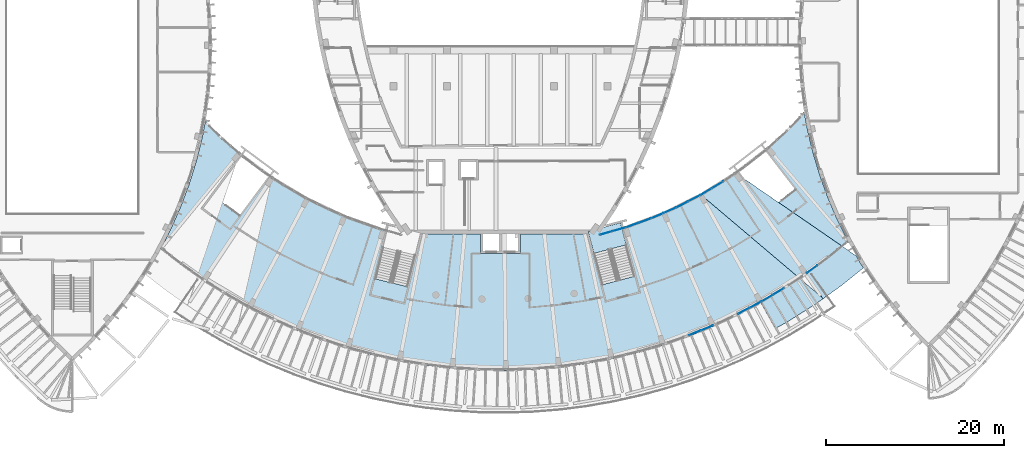
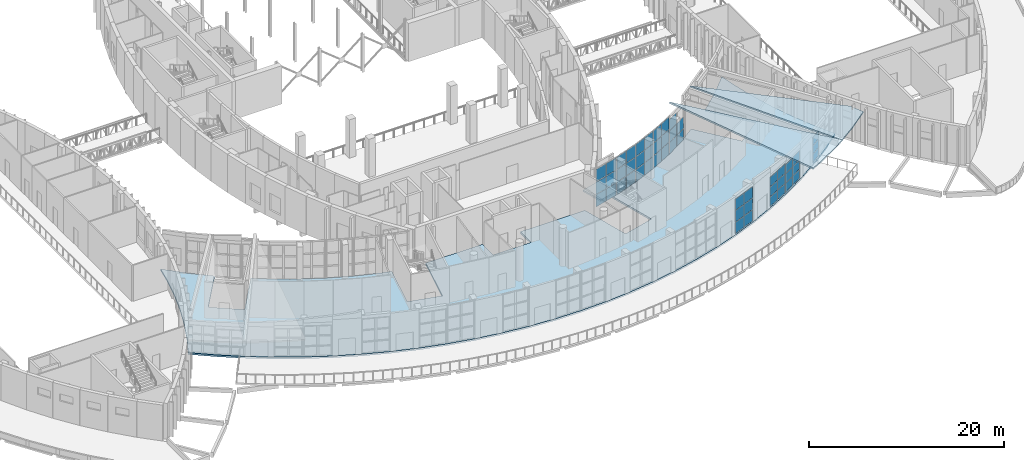
# One storey, part 44 of 93: 50 plates, 4 slabs, 10 elements without a shape of their own.
"""IFC4 building model written with IfcOpenShell, lengths in metres."""

from ifc_helpers import new_model, si_unit, direction, frame, origin, origin_2d, place, context, subcontext, project, spatial, polyline, rectangle, outline, extrude, material, layer, layer_set, type_object, element, aggregate, save


model = new_model("IFC4")

# Units and contexts
model_context = context("Model", 3, precision=1e-05, world=origin(), true_north=direction((0.0, 1.0)))
body_context = subcontext(model_context, "Body", "Model", "MODEL_VIEW")
ifc_project = project(units=[si_unit("LENGTHUNIT", "METRE"), si_unit("AREAUNIT", "SQUARE_METRE"), si_unit("VOLUMEUNIT", "CUBIC_METRE"), si_unit("PLANEANGLEUNIT", "RADIAN"), si_unit("MASSUNIT", "GRAM", prefix="KILO")], contexts=[model_context])

# Site, building, storey
site_placement = place(None, origin())
site = spatial("IfcSite", under=ifc_project, at=site_placement, CompositionType="ELEMENT")
building_placement = place(site_placement, origin())
building = spatial("IfcBuilding", under=site, at=building_placement, Name="Tide Square Theatres", CompositionType="ELEMENT")
storey_placement = place(building_placement, frame((0.0, 0.0, 5.39990234375)))
storey = spatial("IfcBuildingStorey", under=building, at=storey_placement, Name="L01", CompositionType="ELEMENT", Elevation=5.39990234375)

# Curtain wall, plates
ifc_material_1 = material(Name="Aluminium 6063-T5", Category="aluminium")
curtain_wall_type_1 = type_object("IfcCurtainWallType", Name="Unitised system curtain wall 4600 high", PredefinedType="USERDEFINED", material=ifc_material_1)
curtain_wall_1_placement = place(storey_placement, origin())
curtain_wall_1 = element("IfcCurtainWall", 1, at=curtain_wall_1_placement, inside=storey, type_object=curtain_wall_type_1, Name="Foyer outer curtain wall", ObjectType="UNITISED SYSTEM", PredefinedType="USERDEFINED")
ifc_material_2 = material(Name="Double-glazed unit with aluminium frame", Category="aluminium")
ifc_layer_1 = layer(ifc_material_2, 0.030029296875)
ifc_layer_set_1 = layer_set([ifc_layer_1], Name="Double-glazed unit with aluminium frame")
plate_type = type_object("IfcPlateType", Name="Curtain wall panel 30 thick", PredefinedType="CURTAIN_PANEL", material=ifc_layer_set_1)
plate_1_placement = place(storey_placement, frame((105.808349609375, 12.253173828125, 0.050048828125), z_axis=(0.0, 0.0, 1.0), x_axis=(0.9267285887, 0.375731450489, 0.0)))
plate_1 = element("IfcPlate", 2, at=plate_1_placement, type_object=plate_type, Name="CW-03 panel 1.1", PredefinedType="CURTAIN_PANEL", context=body_context, shape_type="SweptSolid", body=[
    extrude(rectangle(XDim=1.423095703125, YDim=0.030029296875, at=origin_2d()), origin(), (0.0, 0.0, 1.0), 1.3916015625),
])
plate_2_placement = place(storey_placement, frame((105.808349609375, 12.253173828125, 1.491943359375), z_axis=(0.0, 0.0, 1.0), x_axis=(0.9267285887, 0.375731450489, 0.0)))
plate_2 = element("IfcPlate", 3, at=plate_2_placement, type_object=plate_type, Name="CW-03 panel 1.2", PredefinedType="CURTAIN_PANEL", context=body_context, shape_type="SweptSolid", body=[
    extrude(rectangle(XDim=1.423095703125, YDim=0.030029296875, at=origin_2d()), origin(), (0.0, 0.0, 1.0), 1.41650390625),
])
plate_3_placement = place(storey_placement, frame((105.808349609375, 12.253173828125, 2.95849609375), z_axis=(0.0, 0.0, 1.0), x_axis=(0.9267285887, 0.375731450489, 0.0)))
plate_3 = element("IfcPlate", 4, at=plate_3_placement, type_object=plate_type, Name="CW-03 panel 1.3", PredefinedType="CURTAIN_PANEL", context=body_context, shape_type="SweptSolid", body=[
    extrude(rectangle(XDim=1.423095703125, YDim=0.030029296875, at=origin_2d()), origin(), (0.0, 0.0, 1.0), 1.3916015625),
])
plate_4_placement = place(storey_placement, frame((107.17333984375, 12.806640625, 0.050048828125), z_axis=(0.0, 0.0, 1.0), x_axis=(0.9267285887, 0.375731450489, 0.0)))
plate_4 = element("IfcPlate", 5, at=plate_4_placement, type_object=plate_type, Name="CW-03 panel 2.1", PredefinedType="CURTAIN_PANEL", context=body_context, shape_type="SweptSolid", body=[
    extrude(rectangle(XDim=1.423095703125, YDim=0.030029296875, at=origin_2d()), origin(), (0.0, 0.0, 1.0), 1.3916015625),
])
plate_5_placement = place(storey_placement, frame((107.17333984375, 12.806640625, 1.491943359375), z_axis=(0.0, 0.0, 1.0), x_axis=(0.9267285887, 0.375731450489, 0.0)))
plate_5 = element("IfcPlate", 6, at=plate_5_placement, type_object=plate_type, Name="CW-03 panel 2.2", PredefinedType="CURTAIN_PANEL", context=body_context, shape_type="SweptSolid", body=[
    extrude(rectangle(XDim=1.423095703125, YDim=0.030029296875, at=origin_2d()), origin(), (0.0, 0.0, 1.0), 1.41650390625),
])
plate_6_placement = place(storey_placement, frame((107.17333984375, 12.806640625, 2.95849609375), z_axis=(0.0, 0.0, 1.0), x_axis=(0.9267285887, 0.375731450489, 0.0)))
plate_6 = element("IfcPlate", 7, at=plate_6_placement, type_object=plate_type, Name="CW-03 panel 2.3", PredefinedType="CURTAIN_PANEL", context=body_context, shape_type="SweptSolid", body=[
    extrude(rectangle(XDim=1.423095703125, YDim=0.030029296875, at=origin_2d()), origin(), (0.0, 0.0, 1.0), 1.3916015625),
])
aggregate(curtain_wall_1, [plate_1, plate_2, plate_3, plate_4, plate_5, plate_6])

ifc_material_3 = material(Name="Aluminium 6063-T5", Category="aluminium")
curtain_wall_type_2 = type_object("IfcCurtainWallType", Name="Unitised system curtain wall 3600 high", PredefinedType="USERDEFINED", material=ifc_material_3)
curtain_wall_2_placement = place(storey_placement, origin())
curtain_wall_2 = element("IfcCurtainWall", 8, at=curtain_wall_2_placement, inside=storey, type_object=curtain_wall_type_2, Name="Foyer outer curtain wall", ObjectType="UNITISED SYSTEM", PredefinedType="USERDEFINED")
plate_7_placement = place(storey_placement, frame((111.269287109375, 14.711181640625, 0.050048828125), z_axis=(0.0, 0.0, 1.0), x_axis=(0.88454506315, 0.466454747277, 0.0)))
plate_7 = element("IfcPlate", 9, at=plate_7_placement, type_object=plate_type, Name="CW-05 panel 1.1", PredefinedType="CURTAIN_PANEL", context=body_context, shape_type="SweptSolid", body=[
    extrude(rectangle(XDim=1.423095703125, YDim=0.030029296875, at=origin_2d()), origin(), (0.0, 0.0, 1.0), 1.18017578125),
])
plate_8_placement = place(storey_placement, frame((111.269287109375, 14.711181640625, 1.2802734375), z_axis=(0.0, 0.0, 1.0), x_axis=(0.88454506315, 0.466454747277, 0.0)))
plate_8 = element("IfcPlate", 10, at=plate_8_placement, type_object=plate_type, Name="CW-05 panel 1.2", PredefinedType="CURTAIN_PANEL", context=body_context, shape_type="SweptSolid", body=[
    extrude(rectangle(XDim=1.423095703125, YDim=0.030029296875, at=origin_2d()), origin(), (0.0, 0.0, 1.0), 1.205078125),
])
plate_9_placement = place(storey_placement, frame((111.269287109375, 14.711181640625, 2.53515625), z_axis=(0.0, 0.0, 1.0), x_axis=(0.88454506315, 0.466454747277, 0.0)))
plate_9 = element("IfcPlate", 11, at=plate_9_placement, type_object=plate_type, Name="CW-05 panel 1.3", PredefinedType="CURTAIN_PANEL", context=body_context, shape_type="SweptSolid", body=[
    extrude(rectangle(XDim=1.423095703125, YDim=0.030029296875, at=origin_2d()), origin(), (0.0, 0.0, 1.0), 1.18017578125),
])
plate_10_placement = place(storey_placement, frame((112.572265625, 15.398193359375, 0.050048828125), z_axis=(0.0, 0.0, 1.0), x_axis=(0.88454506315, 0.466454747277, 0.0)))
plate_10 = element("IfcPlate", 12, at=plate_10_placement, type_object=plate_type, Name="CW-05 panel 2.1", PredefinedType="CURTAIN_PANEL", context=body_context, shape_type="SweptSolid", body=[
    extrude(rectangle(XDim=1.423095703125, YDim=0.030029296875, at=origin_2d()), origin(), (0.0, 0.0, 1.0), 1.18017578125),
])
plate_11_placement = place(storey_placement, frame((112.572265625, 15.398193359375, 1.2802734375), z_axis=(0.0, 0.0, 1.0), x_axis=(0.88454506315, 0.466454747277, 0.0)))
plate_11 = element("IfcPlate", 13, at=plate_11_placement, type_object=plate_type, Name="CW-05 panel 2.2", PredefinedType="CURTAIN_PANEL", context=body_context, shape_type="SweptSolid", body=[
    extrude(rectangle(XDim=1.423095703125, YDim=0.030029296875, at=origin_2d()), origin(), (0.0, 0.0, 1.0), 1.205078125),
])
plate_12_placement = place(storey_placement, frame((112.572265625, 15.398193359375, 2.53515625), z_axis=(0.0, 0.0, 1.0), x_axis=(0.88454506315, 0.466454747277, 0.0)))
plate_12 = element("IfcPlate", 14, at=plate_12_placement, type_object=plate_type, Name="CW-05 panel 2.3", PredefinedType="CURTAIN_PANEL", context=body_context, shape_type="SweptSolid", body=[
    extrude(rectangle(XDim=1.423095703125, YDim=0.030029296875, at=origin_2d()), origin(), (0.0, 0.0, 1.0), 1.18017578125),
])
aggregate(curtain_wall_2, [plate_7, plate_8, plate_9, plate_10, plate_11, plate_12])

curtain_wall_3_placement = place(storey_placement, origin())
curtain_wall_3 = element("IfcCurtainWall", 15, at=curtain_wall_3_placement, inside=storey, type_object=curtain_wall_type_2, Name="Foyer outer curtain wall", ObjectType="UNITISED SYSTEM", PredefinedType="USERDEFINED")
plate_13_placement = place(storey_placement, frame((113.900634765625, 16.141845703125, 0.05029296875), z_axis=(0.0, 0.0, 1.0), x_axis=(0.860100079703, 0.510125330576, 0.0)))
plate_13 = element("IfcPlate", 16, at=plate_13_placement, type_object=plate_type, Name="CW-05 panel 1.1", PredefinedType="CURTAIN_PANEL", context=body_context, shape_type="SweptSolid", body=[
    extrude(rectangle(XDim=1.4228515625, YDim=0.030029296875, at=origin_2d()), origin(), (0.0, 0.0, 1.0), 1.116943359375),
])
plate_14_placement = place(storey_placement, frame((113.900634765625, 16.141845703125, 1.216796875), z_axis=(0.0, 0.0, 1.0), x_axis=(0.860100079703, 0.510125330576, 0.0)))
plate_14 = element("IfcPlate", 17, at=plate_14_placement, type_object=plate_type, Name="CW-05 panel 1.2", PredefinedType="CURTAIN_PANEL", context=body_context, shape_type="SweptSolid", body=[
    extrude(rectangle(XDim=1.4228515625, YDim=0.030029296875, at=origin_2d()), origin(), (0.0, 0.0, 1.0), 1.141845703125),
])
plate_15_placement = place(storey_placement, frame((113.900634765625, 16.141845703125, 2.408935546875), z_axis=(0.0, 0.0, 1.0), x_axis=(0.860100079703, 0.510125330576, 0.0)))
plate_15 = element("IfcPlate", 18, at=plate_15_placement, type_object=plate_type, Name="CW-05 panel 1.3", PredefinedType="CURTAIN_PANEL", context=body_context, shape_type="SweptSolid", body=[
    extrude(rectangle(XDim=1.4228515625, YDim=0.030029296875, at=origin_2d()), origin(), (0.0, 0.0, 1.0), 1.11669921875),
])
plate_16_placement = place(storey_placement, frame((115.167724609375, 16.893310546875, 0.05029296875), z_axis=(0.0, 0.0, 1.0), x_axis=(0.860100079703, 0.510125330576, 0.0)))
plate_16 = element("IfcPlate", 19, at=plate_16_placement, type_object=plate_type, Name="CW-05 panel 2.1", PredefinedType="CURTAIN_PANEL", context=body_context, shape_type="SweptSolid", body=[
    extrude(rectangle(XDim=1.4228515625, YDim=0.030029296875, at=origin_2d()), origin(), (0.0, 0.0, 1.0), 1.116943359375),
])
plate_17_placement = place(storey_placement, frame((115.167724609375, 16.893310546875, 1.216796875), z_axis=(0.0, 0.0, 1.0), x_axis=(0.860100079703, 0.510125330576, 0.0)))
plate_17 = element("IfcPlate", 20, at=plate_17_placement, type_object=plate_type, Name="CW-05 panel 2.2", PredefinedType="CURTAIN_PANEL", context=body_context, shape_type="SweptSolid", body=[
    extrude(rectangle(XDim=1.4228515625, YDim=0.030029296875, at=origin_2d()), origin(), (0.0, 0.0, 1.0), 1.141845703125),
])
plate_18_placement = place(storey_placement, frame((115.167724609375, 16.893310546875, 2.408935546875), z_axis=(0.0, 0.0, 1.0), x_axis=(0.860100079703, 0.510125330576, 0.0)))
plate_18 = element("IfcPlate", 21, at=plate_18_placement, type_object=plate_type, Name="CW-05 panel 2.3", PredefinedType="CURTAIN_PANEL", context=body_context, shape_type="SweptSolid", body=[
    extrude(rectangle(XDim=1.4228515625, YDim=0.030029296875, at=origin_2d()), origin(), (0.0, 0.0, 1.0), 1.11669921875),
])
aggregate(curtain_wall_3, [plate_13, plate_14, plate_15, plate_16, plate_17, plate_18])

ifc_material_4 = material(Name="Aluminium 6063-T5", Category="aluminium")
curtain_wall_type_3 = type_object("IfcCurtainWallType", Name="Stick system curtain wall 3000 high", PredefinedType="USERDEFINED", material=ifc_material_4)
curtain_wall_4_placement = place(storey_placement, origin())
curtain_wall_4 = element("IfcCurtainWall", 22, at=curtain_wall_4_placement, inside=storey, type_object=curtain_wall_type_3, Name="Foyer outer curtain wall", ObjectType="STICK SYSTEM", PredefinedType="USERDEFINED")
plate_19_placement = place(storey_placement, frame((118.9326171875, 19.38916015625, 0.05029296875), z_axis=(0.0, 0.0, 1.0), x_axis=(0.804828419201, 0.593507553151, 0.0)))
plate_19 = element("IfcPlate", 23, at=plate_19_placement, type_object=plate_type, Name="CW-10 panel 1.1", PredefinedType="CURTAIN_PANEL", context=body_context, shape_type="SweptSolid", body=[
    extrude(rectangle(XDim=1.4228515625, YDim=0.030029296875, at=origin_2d()), origin(), (0.0, 0.0, 1.0), 1.004638671875),
])
plate_20_placement = place(storey_placement, frame((118.9326171875, 19.38916015625, 1.104736328125), z_axis=(0.0, 0.0, 1.0), x_axis=(0.804828419201, 0.593507553151, 0.0)))
plate_20 = element("IfcPlate", 24, at=plate_20_placement, type_object=plate_type, Name="CW-10 panel 1.2", PredefinedType="CURTAIN_PANEL", context=body_context, shape_type="SweptSolid", body=[
    extrude(rectangle(XDim=1.4228515625, YDim=0.030029296875, at=origin_2d()), origin(), (0.0, 0.0, 1.0), 1.02978515625),
])
plate_21_placement = place(storey_placement, frame((118.9326171875, 19.38916015625, 2.1845703125), z_axis=(0.0, 0.0, 1.0), x_axis=(0.804828419201, 0.593507553151, 0.0)))
plate_21 = element("IfcPlate", 25, at=plate_21_placement, type_object=plate_type, Name="CW-10 panel 1.3", PredefinedType="CURTAIN_PANEL", context=body_context, shape_type="SweptSolid", body=[
    extrude(rectangle(XDim=1.4228515625, YDim=0.030029296875, at=origin_2d()), origin(), (0.0, 0.0, 1.0), 1.004638671875),
])
aggregate(curtain_wall_4, [plate_19, plate_20, plate_21])

curtain_wall_5_placement = place(storey_placement, origin())
curtain_wall_5 = element("IfcCurtainWall", 26, at=curtain_wall_5_placement, inside=storey, type_object=curtain_wall_type_1, Name="Foyer inner curtain wall", ObjectType="UNITISED SYSTEM", PredefinedType="USERDEFINED")
plate_22_placement = place(storey_placement, frame((108.342041015625, 28.843505859375, 0.050048828125), z_axis=(0.0, 0.0, 1.0), x_axis=(-0.857713583116, -0.514127814204, 0.0)))
plate_22 = element("IfcPlate", 27, at=plate_22_placement, type_object=plate_type, Name="CW-03 panel 1.1", PredefinedType="CURTAIN_PANEL", context=body_context, shape_type="SweptSolid", body=[
    extrude(rectangle(XDim=1.444091796875, YDim=0.030029296875, at=origin_2d()), origin(), (0.0, 0.0, 1.0), 1.3916015625),
])
plate_23_placement = place(storey_placement, frame((108.342041015625, 28.843505859375, 1.491943359375), z_axis=(0.0, 0.0, 1.0), x_axis=(-0.857713583116, -0.514127814204, 0.0)))
plate_23 = element("IfcPlate", 28, at=plate_23_placement, type_object=plate_type, Name="CW-03 panel 1.2", PredefinedType="CURTAIN_PANEL", context=body_context, shape_type="SweptSolid", body=[
    extrude(rectangle(XDim=1.444091796875, YDim=0.030029296875, at=origin_2d()), origin(), (0.0, 0.0, 1.0), 1.41650390625),
])
plate_24_placement = place(storey_placement, frame((107.060546875, 28.0751953125, 0.050048828125), z_axis=(0.0, 0.0, 1.0), x_axis=(-0.857713583116, -0.514127814204, 0.0)))
plate_24 = element("IfcPlate", 29, at=plate_24_placement, type_object=plate_type, Name="CW-03 panel 2.1", PredefinedType="CURTAIN_PANEL", context=body_context, shape_type="SweptSolid", body=[
    extrude(rectangle(XDim=1.444091796875, YDim=0.030029296875, at=origin_2d()), origin(), (0.0, 0.0, 1.0), 1.3916015625),
])
plate_25_placement = place(storey_placement, frame((107.060546875, 28.0751953125, 1.491943359375), z_axis=(0.0, 0.0, 1.0), x_axis=(-0.857713583116, -0.514127814204, 0.0)))
plate_25 = element("IfcPlate", 30, at=plate_25_placement, type_object=plate_type, Name="CW-03 panel 2.2", PredefinedType="CURTAIN_PANEL", context=body_context, shape_type="SweptSolid", body=[
    extrude(rectangle(XDim=1.444091796875, YDim=0.030029296875, at=origin_2d()), origin(), (0.0, 0.0, 1.0), 1.41650390625),
])
plate_26_placement = place(storey_placement, frame((107.060546875, 28.0751953125, 2.95849609375), z_axis=(0.0, 0.0, 1.0), x_axis=(-0.857713583116, -0.514127814204, 0.0)))
plate_26 = element("IfcPlate", 31, at=plate_26_placement, type_object=plate_type, Name="CW-03 panel 2.3", PredefinedType="CURTAIN_PANEL", context=body_context, shape_type="SweptSolid", body=[
    extrude(rectangle(XDim=1.444091796875, YDim=0.030029296875, at=origin_2d()), origin(), (0.0, 0.0, 1.0), 1.3916015625),
])
aggregate(curtain_wall_5, [plate_22, plate_23, plate_24, plate_25, plate_26])

ifc_material_5 = material(Name="Aluminium 6063-T5", Category="aluminium")
curtain_wall_type_4 = type_object("IfcCurtainWallType", Name="Unitised system curtain wall 4800 high", PredefinedType="USERDEFINED", material=ifc_material_5)
curtain_wall_6_placement = place(storey_placement, origin())
curtain_wall_6 = element("IfcCurtainWall", 32, at=curtain_wall_6_placement, inside=storey, type_object=curtain_wall_type_4, Name="Foyer inner curtain wall", ObjectType="UNITISED SYSTEM", PredefinedType="USERDEFINED")
plate_27_placement = place(storey_placement, frame((105.711669921875, 27.325927734375, 0.050048828125), z_axis=(0.0, 0.0, 1.0), x_axis=(-0.889690625476, -0.456563895791, 0.0)))
plate_27 = element("IfcPlate", 33, at=plate_27_placement, type_object=plate_type, Name="CW-02 panel 1.1", PredefinedType="CURTAIN_PANEL", context=body_context, shape_type="SweptSolid", body=[
    extrude(rectangle(XDim=1.44384765625, YDim=0.030029296875, at=origin_2d()), origin(), (0.0, 0.0, 1.0), 1.52490234375),
])
plate_28_placement = place(storey_placement, frame((105.711669921875, 27.325927734375, 1.625), z_axis=(0.0, 0.0, 1.0), x_axis=(-0.889690625476, -0.456563895791, 0.0)))
plate_28 = element("IfcPlate", 34, at=plate_28_placement, type_object=plate_type, Name="CW-02 panel 1.2", PredefinedType="CURTAIN_PANEL", context=body_context, shape_type="SweptSolid", body=[
    extrude(rectangle(XDim=1.44384765625, YDim=0.030029296875, at=origin_2d()), origin(), (0.0, 0.0, 1.0), 1.550048828125),
])
plate_29_placement = place(storey_placement, frame((105.711669921875, 27.325927734375, 3.22509765625), z_axis=(0.0, 0.0, 1.0), x_axis=(-0.889690625476, -0.456563895791, 0.0)))
plate_29 = element("IfcPlate", 35, at=plate_29_placement, type_object=plate_type, Name="CW-02 panel 1.3", PredefinedType="CURTAIN_PANEL", context=body_context, shape_type="SweptSolid", body=[
    extrude(rectangle(XDim=1.44384765625, YDim=0.030029296875, at=origin_2d()), origin(), (0.0, 0.0, 1.0), 1.52490234375),
])
plate_30_placement = place(storey_placement, frame((104.38232421875, 26.643798828125, 0.050048828125), z_axis=(0.0, 0.0, 1.0), x_axis=(-0.889690625476, -0.456563895791, 0.0)))
plate_30 = element("IfcPlate", 36, at=plate_30_placement, type_object=plate_type, Name="CW-02 panel 2.1", PredefinedType="CURTAIN_PANEL", context=body_context, shape_type="SweptSolid", body=[
    extrude(rectangle(XDim=1.44384765625, YDim=0.030029296875, at=origin_2d()), origin(), (0.0, 0.0, 1.0), 1.52490234375),
])
plate_31_placement = place(storey_placement, frame((104.38232421875, 26.643798828125, 1.625), z_axis=(0.0, 0.0, 1.0), x_axis=(-0.889690625476, -0.456563895791, 0.0)))
plate_31 = element("IfcPlate", 37, at=plate_31_placement, type_object=plate_type, Name="CW-02 panel 2.2", PredefinedType="CURTAIN_PANEL", context=body_context, shape_type="SweptSolid", body=[
    extrude(rectangle(XDim=1.44384765625, YDim=0.030029296875, at=origin_2d()), origin(), (0.0, 0.0, 1.0), 1.550048828125),
])
plate_32_placement = place(storey_placement, frame((104.38232421875, 26.643798828125, 3.22509765625), z_axis=(0.0, 0.0, 1.0), x_axis=(-0.889690625476, -0.456563895791, 0.0)))
plate_32 = element("IfcPlate", 38, at=plate_32_placement, type_object=plate_type, Name="CW-02 panel 2.3", PredefinedType="CURTAIN_PANEL", context=body_context, shape_type="SweptSolid", body=[
    extrude(rectangle(XDim=1.44384765625, YDim=0.030029296875, at=origin_2d()), origin(), (0.0, 0.0, 1.0), 1.52490234375),
])
aggregate(curtain_wall_6, [plate_27, plate_28, plate_29, plate_30, plate_31, plate_32])

curtain_wall_7_placement = place(storey_placement, origin())
curtain_wall_7 = element("IfcCurtainWall", 39, at=curtain_wall_7_placement, inside=storey, type_object=curtain_wall_type_4, Name="Foyer inner curtain wall", ObjectType="UNITISED SYSTEM", PredefinedType="USERDEFINED")
plate_33_placement = place(storey_placement, frame((102.987060546875, 25.98486328125, 0.050048828125), z_axis=(0.0, 0.0, 1.0), x_axis=(-0.917827215549, -0.396980103276, 0.0)))
plate_33 = element("IfcPlate", 40, at=plate_33_placement, type_object=plate_type, Name="CW-02 panel 1.1", PredefinedType="CURTAIN_PANEL", context=body_context, shape_type="SweptSolid", body=[
    extrude(rectangle(XDim=1.44384765625, YDim=0.030029296875, at=origin_2d()), origin(), (0.0, 0.0, 1.0), 1.52490234375),
])
plate_34_placement = place(storey_placement, frame((102.987060546875, 25.98486328125, 1.625), z_axis=(0.0, 0.0, 1.0), x_axis=(-0.917827215549, -0.396980103276, 0.0)))
plate_34 = element("IfcPlate", 41, at=plate_34_placement, type_object=plate_type, Name="CW-02 panel 1.2", PredefinedType="CURTAIN_PANEL", context=body_context, shape_type="SweptSolid", body=[
    extrude(rectangle(XDim=1.44384765625, YDim=0.030029296875, at=origin_2d()), origin(), (0.0, 0.0, 1.0), 1.550048828125),
])
plate_35_placement = place(storey_placement, frame((102.987060546875, 25.98486328125, 3.22509765625), z_axis=(0.0, 0.0, 1.0), x_axis=(-0.917827215549, -0.396980103276, 0.0)))
plate_35 = element("IfcPlate", 42, at=plate_35_placement, type_object=plate_type, Name="CW-02 panel 1.3", PredefinedType="CURTAIN_PANEL", context=body_context, shape_type="SweptSolid", body=[
    extrude(rectangle(XDim=1.44384765625, YDim=0.030029296875, at=origin_2d()), origin(), (0.0, 0.0, 1.0), 1.52490234375),
])
plate_36_placement = place(storey_placement, frame((101.615966796875, 25.391845703125, 0.050048828125), z_axis=(0.0, 0.0, 1.0), x_axis=(-0.917827215549, -0.396980103276, 0.0)))
plate_36 = element("IfcPlate", 43, at=plate_36_placement, type_object=plate_type, Name="CW-02 panel 2.1", PredefinedType="CURTAIN_PANEL", context=body_context, shape_type="SweptSolid", body=[
    extrude(rectangle(XDim=1.44384765625, YDim=0.030029296875, at=origin_2d()), origin(), (0.0, 0.0, 1.0), 1.52490234375),
])
plate_37_placement = place(storey_placement, frame((101.615966796875, 25.391845703125, 1.625), z_axis=(0.0, 0.0, 1.0), x_axis=(-0.917827215549, -0.396980103276, 0.0)))
plate_37 = element("IfcPlate", 44, at=plate_37_placement, type_object=plate_type, Name="CW-02 panel 2.2", PredefinedType="CURTAIN_PANEL", context=body_context, shape_type="SweptSolid", body=[
    extrude(rectangle(XDim=1.44384765625, YDim=0.030029296875, at=origin_2d()), origin(), (0.0, 0.0, 1.0), 1.550048828125),
])
plate_38_placement = place(storey_placement, frame((101.615966796875, 25.391845703125, 3.22509765625), z_axis=(0.0, 0.0, 1.0), x_axis=(-0.917827215549, -0.396980103276, 0.0)))
plate_38 = element("IfcPlate", 45, at=plate_38_placement, type_object=plate_type, Name="CW-02 panel 2.3", PredefinedType="CURTAIN_PANEL", context=body_context, shape_type="SweptSolid", body=[
    extrude(rectangle(XDim=1.44384765625, YDim=0.030029296875, at=origin_2d()), origin(), (0.0, 0.0, 1.0), 1.52490234375),
])
aggregate(curtain_wall_7, [plate_33, plate_34, plate_35, plate_36, plate_37, plate_38])

curtain_wall_8_placement = place(storey_placement, origin())
curtain_wall_8 = element("IfcCurtainWall", 46, at=curtain_wall_8_placement, inside=storey, type_object=curtain_wall_type_4, Name="Foyer inner curtain wall", ObjectType="UNITISED SYSTEM", PredefinedType="USERDEFINED")
plate_39_placement = place(storey_placement, frame((100.18017578125, 24.826171875, 0.050048828125), z_axis=(0.0, 0.0, 1.0), x_axis=(-0.941960664039, -0.335723260146, 0.0)))
plate_39 = element("IfcPlate", 47, at=plate_39_placement, type_object=plate_type, Name="CW-02 panel 1.1", PredefinedType="CURTAIN_PANEL", context=body_context, shape_type="SweptSolid", body=[
    extrude(rectangle(XDim=1.44384765625, YDim=0.030029296875, at=origin_2d()), origin(), (0.0, 0.0, 1.0), 1.52490234375),
])
plate_40_placement = place(storey_placement, frame((100.18017578125, 24.826171875, 1.625), z_axis=(0.0, 0.0, 1.0), x_axis=(-0.941960664039, -0.335723260146, 0.0)))
plate_40 = element("IfcPlate", 48, at=plate_40_placement, type_object=plate_type, Name="CW-02 panel 1.2", PredefinedType="CURTAIN_PANEL", context=body_context, shape_type="SweptSolid", body=[
    extrude(rectangle(XDim=1.44384765625, YDim=0.030029296875, at=origin_2d()), origin(), (0.0, 0.0, 1.0), 1.550048828125),
])
plate_41_placement = place(storey_placement, frame((100.18017578125, 24.826171875, 3.22509765625), z_axis=(0.0, 0.0, 1.0), x_axis=(-0.941960664039, -0.335723260146, 0.0)))
plate_41 = element("IfcPlate", 49, at=plate_41_placement, type_object=plate_type, Name="CW-02 panel 1.3", PredefinedType="CURTAIN_PANEL", context=body_context, shape_type="SweptSolid", body=[
    extrude(rectangle(XDim=1.44384765625, YDim=0.030029296875, at=origin_2d()), origin(), (0.0, 0.0, 1.0), 1.52490234375),
])
plate_42_placement = place(storey_placement, frame((98.77294921875, 24.32470703125, 0.050048828125), z_axis=(0.0, 0.0, 1.0), x_axis=(-0.941960664039, -0.335723260146, 0.0)))
plate_42 = element("IfcPlate", 50, at=plate_42_placement, type_object=plate_type, Name="CW-02 panel 2.1", PredefinedType="CURTAIN_PANEL", context=body_context, shape_type="SweptSolid", body=[
    extrude(rectangle(XDim=1.44384765625, YDim=0.030029296875, at=origin_2d()), origin(), (0.0, 0.0, 1.0), 1.52490234375),
])
plate_43_placement = place(storey_placement, frame((98.77294921875, 24.32470703125, 1.625), z_axis=(0.0, 0.0, 1.0), x_axis=(-0.941960664039, -0.335723260146, 0.0)))
plate_43 = element("IfcPlate", 51, at=plate_43_placement, type_object=plate_type, Name="CW-02 panel 2.2", PredefinedType="CURTAIN_PANEL", context=body_context, shape_type="SweptSolid", body=[
    extrude(rectangle(XDim=1.44384765625, YDim=0.030029296875, at=origin_2d()), origin(), (0.0, 0.0, 1.0), 1.550048828125),
])
plate_44_placement = place(storey_placement, frame((98.77294921875, 24.32470703125, 3.22509765625), z_axis=(0.0, 0.0, 1.0), x_axis=(-0.941960664039, -0.335723260146, 0.0)))
plate_44 = element("IfcPlate", 52, at=plate_44_placement, type_object=plate_type, Name="CW-02 panel 2.3", PredefinedType="CURTAIN_PANEL", context=body_context, shape_type="SweptSolid", body=[
    extrude(rectangle(XDim=1.44384765625, YDim=0.030029296875, at=origin_2d()), origin(), (0.0, 0.0, 1.0), 1.52490234375),
])
aggregate(curtain_wall_8, [plate_39, plate_40, plate_41, plate_42, plate_43, plate_44])

curtain_wall_9_placement = place(storey_placement, origin())
curtain_wall_9 = element("IfcCurtainWall", 53, at=curtain_wall_9_placement, inside=storey, type_object=curtain_wall_type_4, Name="Foyer inner curtain wall", ObjectType="UNITISED SYSTEM", PredefinedType="USERDEFINED")
plate_45_placement = place(storey_placement, frame((97.2998046875, 23.853759765625, 0.050048828125), z_axis=(0.0, 0.0, 1.0), x_axis=(-0.962020780227, -0.272976223163, 0.0)))
plate_45 = element("IfcPlate", 54, at=plate_45_placement, type_object=plate_type, Name="CW-02 panel 1.1", PredefinedType="CURTAIN_PANEL", context=body_context, shape_type="SweptSolid", body=[
    extrude(rectangle(XDim=1.45068359375, YDim=0.030029296875, at=origin_2d()), origin(), (0.0, 0.0, 1.0), 1.52490234375),
])
plate_46_placement = place(storey_placement, frame((97.2998046875, 23.853759765625, 1.625), z_axis=(0.0, 0.0, 1.0), x_axis=(-0.962020780227, -0.272976223163, 0.0)))
plate_46 = element("IfcPlate", 55, at=plate_46_placement, type_object=plate_type, Name="CW-02 panel 1.2", PredefinedType="CURTAIN_PANEL", context=body_context, shape_type="SweptSolid", body=[
    extrude(rectangle(XDim=1.45068359375, YDim=0.030029296875, at=origin_2d()), origin(), (0.0, 0.0, 1.0), 1.550048828125),
])
plate_47_placement = place(storey_placement, frame((97.2998046875, 23.853759765625, 3.22509765625), z_axis=(0.0, 0.0, 1.0), x_axis=(-0.962020780227, -0.272976223163, 0.0)))
plate_47 = element("IfcPlate", 56, at=plate_47_placement, type_object=plate_type, Name="CW-02 panel 1.3", PredefinedType="CURTAIN_PANEL", context=body_context, shape_type="SweptSolid", body=[
    extrude(rectangle(XDim=1.45068359375, YDim=0.030029296875, at=origin_2d()), origin(), (0.0, 0.0, 1.0), 1.52490234375),
])
plate_48_placement = place(storey_placement, frame((95.856201171875, 23.4443359375, 0.050048828125), z_axis=(0.0, 0.0, 1.0), x_axis=(-0.962020780227, -0.272976223163, 0.0)))
plate_48 = element("IfcPlate", 57, at=plate_48_placement, type_object=plate_type, Name="CW-02 panel 2.1", PredefinedType="CURTAIN_PANEL", context=body_context, shape_type="SweptSolid", body=[
    extrude(rectangle(XDim=1.45068359375, YDim=0.030029296875, at=origin_2d()), origin(), (0.0, 0.0, 1.0), 1.52490234375),
])
plate_49_placement = place(storey_placement, frame((95.856201171875, 23.4443359375, 1.625), z_axis=(0.0, 0.0, 1.0), x_axis=(-0.962020780227, -0.272976223163, 0.0)))
plate_49 = element("IfcPlate", 58, at=plate_49_placement, type_object=plate_type, Name="CW-02 panel 2.2", PredefinedType="CURTAIN_PANEL", context=body_context, shape_type="SweptSolid", body=[
    extrude(rectangle(XDim=1.45068359375, YDim=0.030029296875, at=origin_2d()), origin(), (0.0, 0.0, 1.0), 1.550048828125),
])
plate_50_placement = place(storey_placement, frame((95.856201171875, 23.4443359375, 3.22509765625), z_axis=(0.0, 0.0, 1.0), x_axis=(-0.962020780227, -0.272976223163, 0.0)))
plate_50 = element("IfcPlate", 59, at=plate_50_placement, type_object=plate_type, Name="CW-02 panel 2.3", PredefinedType="CURTAIN_PANEL", context=body_context, shape_type="SweptSolid", body=[
    extrude(rectangle(XDim=1.45068359375, YDim=0.030029296875, at=origin_2d()), origin(), (0.0, 0.0, 1.0), 1.52490234375),
])
aggregate(curtain_wall_9, [plate_45, plate_46, plate_47, plate_48, plate_49, plate_50])

# Slab
ifc_material_6 = material(Name="Concrete C35", Category="concrete")
ifc_layer_2 = layer(ifc_material_6, 0.219970703125)
ifc_layer_set_2 = layer_set([ifc_layer_2], Name="Concrete C35")
slab_type_1 = type_object("IfcSlabType", Name="RC floor slab 220", PredefinedType="FLOOR", material=ifc_layer_set_2)
slab_1_placement = place(storey_placement, frame((0.0, 0.0, -0.219970703125)))
element("IfcSlab", 60, at=slab_1_placement, inside=storey, type_object=slab_type_1, Name="Foyer first floor slab", PredefinedType="FLOOR", context=body_context, shape_type="SweptSolid", body=[
    extrude(outline(polyline([(50.926513671875, 36.035400390625), (50.5673828125, 34.166748046875), (49.902099609375, 31.511474609375), (49.086669921875, 28.898681640625), (48.12353515625, 26.33642578125), (47.01611328125, 23.833251953125), (45.89208984375, 21.66015625), (48.135986328125, 19.898193359375), (50.587158203125, 18.16455078125), (53.121826171875, 16.555419921875), (55.73388671875, 15.0751953125), (58.41650390625, 13.727783203125), (61.163330078125, 12.515869140625), (63.96728515625, 11.443115234375), (66.821533203125, 10.51171875), (69.71875, 9.724365234375), (72.651611328125, 9.0830078125), (75.61279296875, 8.589111328125), (78.59521484375, 8.243896484375), (81.591064453125, 8.04833984375), (84.593017578125, 8.0029296875), (87.593505859375, 8.107666015625), (90.5849609375, 8.3623046875), (93.559814453125, 8.7666015625), (96.5107421875, 9.31884765625), (99.430419921875, 10.01806640625), (102.3115234375, 10.862548828125), (105.146728515625, 11.85009765625), (107.928955078125, 12.97802734375), (110.6513671875, 14.243896484375), (113.306884765625, 15.644287109375), (115.88916015625, 17.17578125), (118.3916015625, 18.834716796875), (120.8076171875, 20.61669921875), (123.016357421875, 22.422607421875), (121.738037109375, 25.0), (120.705078125, 27.427978515625), (119.806884765625, 29.908935546875), (119.04638671875, 32.435546875), (118.426025390625, 35.0), (118.0419921875, 37.069091796875), (116.040283203125, 34.99365234375), (113.798095703125, 32.956298828125), (113.590087890625, 32.790771484375), (117.042724609375, 28.324462890625), (114.075927734375, 26.03076171875), (110.61474609375, 30.508056640625), (108.936279296875, 29.345458984375), (106.337646484375, 27.78759765625), (103.64208984375, 26.404541015625), (100.861572265625, 25.20166015625), (98.007568359375, 24.1845703125), (97.589599609375, 24.066162109375), (99.037841796875, 18.605224609375), (95.4130859375, 17.64404296875), (93.89794921875, 23.357666015625), (86.25, 23.357666015625), (86.25, 21.15771484375), (84.14990234375, 21.15771484375), (83.85009765625, 21.15771484375), (81.75, 21.15771484375), (81.75, 23.357666015625), (75.031982421875, 23.357666015625), (73.58447265625, 17.42822265625), (69.94140625, 18.317626953125), (71.28369140625, 23.815185546875), (70.142333984375, 24.136962890625), (67.431640625, 25.08740234375), (64.78564453125, 26.205078125), (62.214599609375, 27.48583984375), (59.728515625, 28.924560546875), (58.13037109375, 29.98779296875), (54.759521484375, 25.444580078125), (51.747802734375, 27.678955078125), (55.1083984375, 32.2080078125), (55.04931640625, 32.252685546875), (52.874755859375, 34.12939453125), (50.926513671875, 36.035400390625)])), origin(), (0.0, 0.0, 1.0), 0.219970703125),
])

# Stair, slab
ifc_material_7 = material(Name="Concrete C35", Category="concrete")
stair_type = type_object("IfcStairType", Name="Foyer exit stair half turn 1200 wide", PredefinedType="HALF_TURN_STAIR", material=ifc_material_7)
stair_placement = place(storey_placement, origin())
stair = element("IfcStair", 61, at=stair_placement, inside=storey, type_object=stair_type, Name="L01 Exit stair F4", PredefinedType="HALF_TURN_STAIR")
ifc_material_8 = material(Name="Concrete C35", Category="concrete")
ifc_layer_3 = layer(ifc_material_8, 0.199951171875)
ifc_layer_set_3 = layer_set([ifc_layer_3], Name="Concrete C35")
slab_type_2 = type_object("IfcSlabType", Name="RC landing slab 200", PredefinedType="LANDING", material=ifc_layer_set_3)
slab_2_placement = place(storey_placement, frame((0.0, 0.0, 2.2001953125)))
slab_2 = element("IfcSlab", 62, at=slab_2_placement, type_object=slab_type_2, Name="F4 landing 1", PredefinedType="LANDING", context=body_context, shape_type="SweptSolid", body=[
    extrude(outline(polyline([(98.105224609375, 22.121826171875), (97.448974609375, 24.59716796875), (93.82421875, 23.635986328125), (94.48046875, 21.16064453125), (98.105224609375, 22.121826171875)])), origin(), (0.0, 0.0, 1.0), 0.199951171875),
])
aggregate(stair, [slab_2])

# Slabs
ifc_material_9 = material(Name="Concrete C40", Category="concrete")
ifc_layer_4 = layer(ifc_material_9, 0.199951171875)
ifc_layer_set_4 = layer_set([ifc_layer_4], Name="Concrete C40")
slab_type_3 = type_object("IfcSlabType", Name="RC roof slab 200", PredefinedType="ROOF", material=ifc_layer_set_4)
slab_3_placement = place(storey_placement, frame((120.1591796875, 16.07080078125, 4.0419921875), z_axis=(0.116506149568, -0.073841761175, 0.990441170095), x_axis=(-0.566023709816, 0.814500016401, 0.127306257544)))
element("IfcSlab", 63, at=slab_3_placement, inside=storey, type_object=slab_type_3, Name="Foyer roof plate foyer-S12a", PredefinedType="ROOF", context=body_context, shape_type="SweptSolid", body=[
    extrude(outline(polyline([(0.0, 0.0), (0.24070442668393652, 3.0357660829594124e-18), (17.600391739337894, 4.5927644973200135), (0.35706110343443215, 6.291490066621426), (0.18450746385640948, 4.73712498139455), (-0.006946465818242208, 1.0533565220987753), (0.0, 0.0)])), origin(), (0.0, 0.0, -1.0), 0.199951171875),
])
slab_4_placement = place(storey_placement, frame((124.513427734375, 19.810791015625, 3.956787109375), z_axis=(0.075673098771, -0.062929416001, 0.995144949605), x_axis=(-0.496415082266, 0.863161000099, 0.092331760553)))
element("IfcSlab", 64, at=slab_4_placement, inside=storey, type_object=slab_type_3, Name="Foyer roof plate foyer-S13a", PredefinedType="ROOF", context=body_context, shape_type="SweptSolid", body=[
    extrude(outline(polyline([(0.0, 0.0), (1.2275421686187704, -6.938893903907228e-17), (16.195658991421507, 7.11718136876773), (-1.056855873560949, 5.6301830336541), (-0.805854309716332, 3.023744919681286), (-0.33186882338718227, -0.0201171014210606), (0.0, 0.0)])), origin(), (0.0, 0.0, -1.0), 0.199951171875),
])

save(model, "model.ifc")
